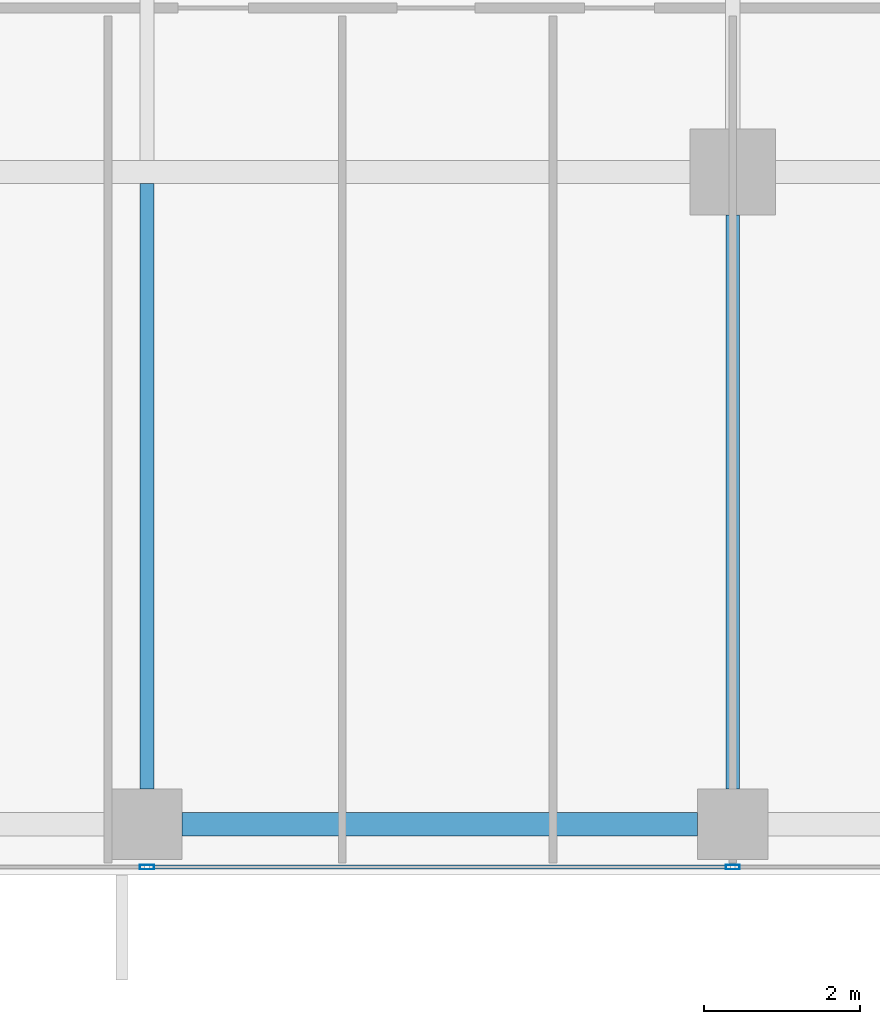
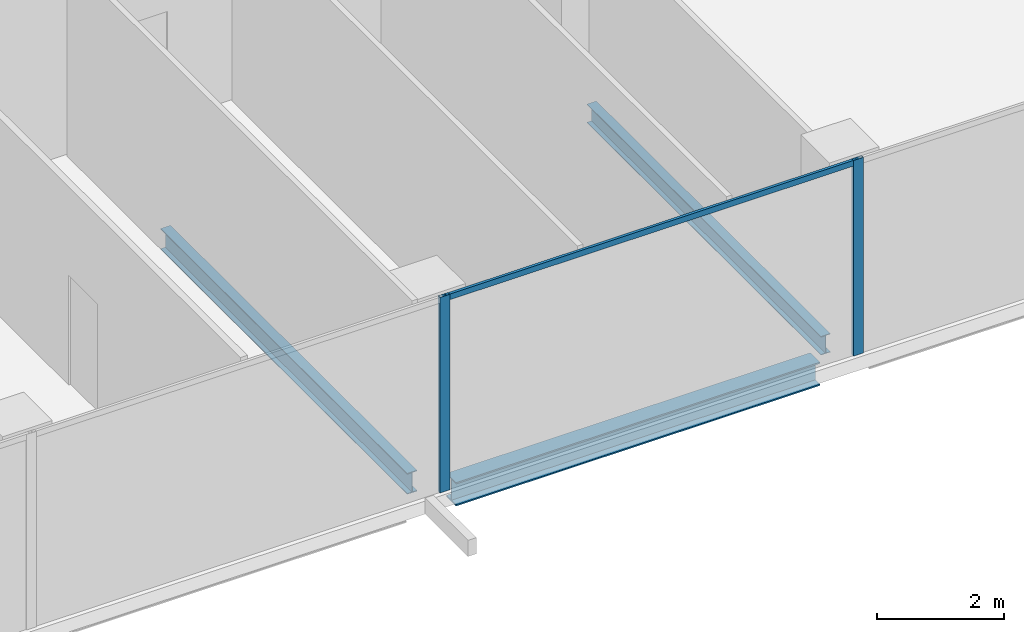
# One storey, part 6 of 36: 3 beams, 3 members, 1 element without a shape of its own.
"""IFC4 building model written with IfcOpenShell, lengths in metres."""

import ifcopenshell
import ifcopenshell.guid

model = None  # the IFC model being written
_history = None  # IfcOwnerHistory: only IFC2X3 demands one
_inside = {}  # id of a spatial element -> (the spatial element, [elements in it])
_under = {}  # id of a project, library or spatial element -> (it, [spatial elements below it])
_declared = {}  # id of a project -> (the project, [libraries it declares])
_typed = {}  # id of a type object -> (the type object, [elements of that type])
_made_of = {}  # id of a material, layer set ... -> (it, [elements and type objects made of it])


def new_model(schema):
    """Start an empty IFC model of exactly this schema.

    Asked for "IFC4X3", IfcOpenShell would pick the latest addendum, in which some entities
    have other attributes; the version numbers below select the first issue.
    IFC2X3 requires an IfcOwnerHistory on every rooted entity: one is made here for all.
    """
    global model, _history
    if schema == "IFC4X3":
        model = ifcopenshell.file(schema_version=(4, 3, 0, 0))
    else:
        model = ifcopenshell.file(schema=schema)
    _inside.clear()
    _under.clear()
    _declared.clear()
    _typed.clear()
    _made_of.clear()
    _history = None
    if model.schema == "IFC2X3":
        org = make("IfcOrganization", Name="unknown")
        user = make(
            "IfcPersonAndOrganization",
            ThePerson=make("IfcPerson", FamilyName="unknown"),
            TheOrganization=org,
        )
        app = make(
            "IfcApplication",
            ApplicationDeveloper=org,
            Version="unknown",
            ApplicationFullName="unknown",
            ApplicationIdentifier="unknown",
        )
        _history = make(
            "IfcOwnerHistory",
            OwningUser=user,
            OwningApplication=app,
            ChangeAction="ADDED",
            CreationDate=0,
        )
    return model


def make(cls, **values):
    """One entity of the class cls with the attributes given. An attribute that is None is left unset."""
    return model.create_entity(
        cls, **{name: value for name, value in values.items() if value is not None}
    )


def rooted(cls, **values):
    """An entity with a GlobalId (a new one), such as an element, a storey or a relation."""
    return make(cls, GlobalId=ifcopenshell.guid.new(), OwnerHistory=_history, **values)


def si_unit(unit_type, name, prefix=None):
    """IfcSIUnit, for example si_unit("LENGTHUNIT", "METRE", prefix="MILLI")."""
    return make("IfcSIUnit", UnitType=unit_type, Prefix=prefix, Name=name)


def assignment(units):
    """IfcUnitAssignment: the units of a project."""
    return None if units is None else make("IfcUnitAssignment", Units=units)


def point(xyz):
    """IfcCartesianPoint."""
    return None if xyz is None else make("IfcCartesianPoint", Coordinates=xyz)


def direction(xyz):
    """IfcDirection."""
    return None if xyz is None else make("IfcDirection", DirectionRatios=xyz)


def frame(location, z_axis=None, x_axis=None):
    """IfcAxis2Placement3D, a coordinate frame: its origin and axes. An axis left out is left unset."""
    return make(
        "IfcAxis2Placement3D",
        Location=point(location),
        Axis=direction(z_axis),
        RefDirection=direction(x_axis),
    )


def frame_2d(location, x_axis=None):
    """IfcAxis2Placement2D, a coordinate frame in the plane: its origin and x axis."""
    return make(
        "IfcAxis2Placement2D", Location=point(location), RefDirection=direction(x_axis)
    )


def origin():
    """The frame at (0, 0, 0) with its axes left unset."""
    return frame((0.0, 0.0, 0.0))


def origin_2d():
    """The frame at (0, 0) in the plane with its x axis left unset."""
    return frame_2d((0.0, 0.0))


def place(relative_to, where):
    """IfcLocalPlacement: puts the frame where relative to a parent placement (None: the world)."""
    return make(
        "IfcLocalPlacement", PlacementRelTo=relative_to, RelativePlacement=where
    )


def context(
    kind, dimensions, precision=None, world=None, true_north=None, identifier=None
):
    """IfcGeometricRepresentationContext, for example the 3D "Model" context."""
    return make(
        "IfcGeometricRepresentationContext",
        ContextIdentifier=identifier,
        ContextType=kind,
        CoordinateSpaceDimension=dimensions,
        Precision=precision,
        WorldCoordinateSystem=world,
        TrueNorth=true_north,
    )


def subcontext(parent, identifier, kind, view, scale=None):
    """IfcGeometricRepresentationSubContext, for example "Body" below "Model"."""
    return make(
        "IfcGeometricRepresentationSubContext",
        ContextIdentifier=identifier,
        ContextType=kind,
        ParentContext=parent,
        TargetScale=scale,
        TargetView=view,
    )


def project(units=None, contexts=None):
    """IfcProject with its units and contexts."""
    return rooted(
        "IfcProject",
        Name="project",
        RepresentationContexts=contexts,
        UnitsInContext=assignment(units),
    )


def spatial(cls, under=None, at=None, **own):
    """A site, building, storey or space (cls), placed at a placement, below another one or the project."""
    s = rooted(cls, ObjectPlacement=at, **own)
    if under is not None:
        _under.setdefault(under.id(), (under, []))[1].append(s)
    return s


def profile(cls, at=None, kind="AREA", **sizes):
    """A parametric profile (cls). Its sizes go by their IFC names, for example OverallWidth=200.0."""
    return make(cls, ProfileType=kind, Position=at, **sizes)


def hollow_rectangle(**sizes):
    """IfcRectangleHollowProfileDef."""
    return profile("IfcRectangleHollowProfileDef", **sizes)


def i_section(**sizes):
    """IfcIShapeProfileDef."""
    return profile("IfcIShapeProfileDef", **sizes)


def extrude(swept, where, along, depth):
    """IfcExtrudedAreaSolid: the profile swept, set in the frame where, extruded along a direction by depth."""
    return make(
        "IfcExtrudedAreaSolid",
        SweptArea=swept,
        Position=where,
        ExtrudedDirection=direction(along),
        Depth=depth,
    )


def shape(context_of_items, identifier, shape_type, items):
    """IfcShapeRepresentation: the items that make up one representation, for example the "Body"."""
    return make(
        "IfcShapeRepresentation",
        ContextOfItems=context_of_items,
        RepresentationIdentifier=identifier,
        RepresentationType=shape_type,
        Items=items,
    )


def source(mapping_origin, context_of_items, identifier, shape_type, items):
    """IfcRepresentationMap: a shape defined once, which mapped items show again and again."""
    return make(
        "IfcRepresentationMap",
        MappingOrigin=mapping_origin,
        MappedRepresentation=shape(context_of_items, identifier, shape_type, items),
    )


def transform(
    local_origin,
    x_axis=None,
    y_axis=None,
    z_axis=None,
    scale=None,
    scale2=None,
    scale3=None,
    uniform=True,
):
    """IfcCartesianTransformationOperator3D, or its non-uniform kind. x_axis, y_axis, z_axis: its Axis1, 2, 3."""
    if uniform:
        return make(
            "IfcCartesianTransformationOperator3D",
            Axis1=direction(x_axis),
            Axis2=direction(y_axis),
            LocalOrigin=point(local_origin),
            Scale=scale,
            Axis3=direction(z_axis),
        )
    return make(
        "IfcCartesianTransformationOperator3DnonUniform",
        Axis1=direction(x_axis),
        Axis2=direction(y_axis),
        LocalOrigin=point(local_origin),
        Scale=scale,
        Axis3=direction(z_axis),
        Scale2=scale2,
        Scale3=scale3,
    )


def mapped(mapping_source, mapping_target):
    """IfcMappedItem: shows the shape of a source again, moved by a transform."""
    return make(
        "IfcMappedItem", MappingSource=mapping_source, MappingTarget=mapping_target
    )


def material(Name=None, Category=None):
    """IfcMaterial."""
    return make("IfcMaterial", Name=Name, Category=Category)


def material_profile(
    of_material, cross_section, Name=None, Category=None, Priority=None
):
    """IfcMaterialProfile: a cross section and its material."""
    return make(
        "IfcMaterialProfile",
        Name=Name,
        Material=of_material,
        Profile=cross_section,
        Priority=Priority,
        Category=Category,
    )


def profile_set(profiles, Name=None, composite=None):
    """IfcMaterialProfileSet."""
    return make(
        "IfcMaterialProfileSet",
        Name=Name,
        MaterialProfiles=profiles,
        CompositeProfile=composite,
    )


def made_of(thing, what):
    """Note that an element or type object is made of a material, layer set ...; save() writes the relation."""
    if what is not None:
        _made_of.setdefault(what.id(), (what, []))[1].append(thing)
    return thing


def type_object(cls, material=None, **own):
    """A type object (cls), such as IfcWallType, which elements share."""
    return made_of(rooted(cls, **own), material)


def element(
    cls,
    number,
    at=None,
    inside=None,
    cuts=None,
    type_object=None,
    material=None,
    context=None,
    identifier="Body",
    shape_type=None,
    held_by="IfcProductDefinitionShape",
    body=None,
    shapes=None,
    **own,
):
    """One element of the class cls, such as IfcWall. Its Tag is "e" and its number.

    at: its placement. inside: the storey or other place that contains it. cuts: it is an
    opening in that element (IfcRelVoidsElement). A single representation is given by context,
    identifier, shape_type and body (its items); several are given by shapes. held_by: the class
    of the entity that holds the representations. save() writes the other relations.
    """
    e = rooted(cls, Tag="e%d" % number, ObjectPlacement=at, **own)
    if body is not None:
        shapes = [shape(context, identifier, shape_type, body)]
    if shapes is not None:
        e.Representation = make(held_by, Representations=shapes)
    if inside is not None:
        _inside.setdefault(inside.id(), (inside, []))[1].append(e)
    if cuts is not None:
        rooted(
            "IfcRelVoidsElement", RelatingBuildingElement=cuts, RelatedOpeningElement=e
        )
    if type_object is not None:
        _typed.setdefault(type_object.id(), (type_object, []))[1].append(e)
    return made_of(e, material)


def aggregate(whole, parts):
    """IfcRelAggregates: a whole, such as a stair, and the parts it consists of."""
    return rooted("IfcRelAggregates", RelatingObject=whole, RelatedObjects=parts)


def save(model, path):
    """Write the relations noted so far, then the file.

    IfcRelAggregates (storeys below a building ...), IfcRelContainedInSpatialStructure (elements
    in a storey), IfcRelDefinesByType, IfcRelAssociatesMaterial and IfcRelDeclares: one each for
    every whole, place, type object, material and project.
    """
    for whole, parts in _under.values():
        aggregate(whole, parts)
    for where, things in _inside.values():
        rooted(
            "IfcRelContainedInSpatialStructure",
            RelatedElements=things,
            RelatingStructure=where,
        )
    for kind, things in _typed.values():
        rooted("IfcRelDefinesByType", RelatedObjects=things, RelatingType=kind)
    for what, things in _made_of.values():
        rooted("IfcRelAssociatesMaterial", RelatedObjects=things, RelatingMaterial=what)
    for by, libraries in _declared.values():
        rooted("IfcRelDeclares", RelatingContext=by, RelatedDefinitions=libraries)
    model.write(path)


model = new_model("IFC4")

# Units and contexts
model_context = context("Model", 3, precision=1e-05, world=origin(), true_north=direction((0.0, 1.0)))
body_context = subcontext(model_context, "Body", "Model", "MODEL_VIEW")
ifc_project = project(units=[si_unit("LENGTHUNIT", "METRE"), si_unit("AREAUNIT", "SQUARE_METRE"), si_unit("VOLUMEUNIT", "CUBIC_METRE"), si_unit("PLANEANGLEUNIT", "RADIAN"), si_unit("MASSUNIT", "GRAM", prefix="KILO")], contexts=[model_context])

# Site, building, storey
site_placement = place(None, origin())
site = spatial("IfcSite", under=ifc_project, at=site_placement, CompositionType="ELEMENT")
building_placement = place(site_placement, origin())
building = spatial("IfcBuilding", under=site, at=building_placement, Name="Khomas Fold Tower", CompositionType="ELEMENT")
storey_placement = place(building_placement, frame((0.0, 0.0, 230.199951171875)))
storey = spatial("IfcBuildingStorey", under=building, at=storey_placement, Name="L51", CompositionType="ELEMENT", Elevation=230.199951171875)

# Beams
ifc_material_1 = material(Name="Steel S355", Category="steel")
ifc_material_profile_1 = material_profile(ifc_material_1, i_section(OverallWidth=0.300048828125, OverallDepth=0.449951171875, WebThickness=0.013916015625, FlangeThickness=0.02587890625, at=origin_2d()), Name="HE 450 B")
ifc_profile_set_1 = profile_set([ifc_material_profile_1], Name="Steel S355")
beam_type_1 = type_object("IfcBeamType", Name="HE 450 B spandrel SB4", PredefinedType="SPANDREL", material=ifc_profile_set_1)
shared_shape_1 = source(origin(), body_context, "Body", "SweptSolid", [
    extrude(i_section(OverallWidth=0.300048828125, OverallDepth=0.449951171875, WebThickness=0.013916015625, FlangeThickness=0.02587890625, at=origin_2d()), origin(), (0.0, 0.0, 1.0), 6.60009765625),
])
beam_1_placement = place(storey_placement, frame((27.449951171875, 5.14990234375, -0.474853515625), z_axis=(1.0, 0.0, 0.0), x_axis=(0.0, 1.0, 0.0)))
element("IfcBeam", 1, at=beam_1_placement, inside=storey, type_object=beam_type_1, Name="SB4", PredefinedType="SPANDREL", context=body_context, shape_type="MappedRepresentation", body=[
    mapped(shared_shape_1, transform((0.0, 0.0, 0.0))),
])
ifc_material_2 = material(Name="Steel S355", Category="steel")
ifc_material_profile_2 = material_profile(ifc_material_2, i_section(OverallWidth=0.179931640625, OverallDepth=0.39990234375, WebThickness=0.008544921875, FlangeThickness=0.013427734375, at=origin_2d()), Name="IPE 400")
ifc_profile_set_2 = profile_set([ifc_material_profile_2], Name="Steel S355")
beam_type_2 = type_object("IfcBeamType", Name="IPE 400 beam JB3", PredefinedType="BEAM", material=ifc_profile_set_2)
shared_shape_2 = source(origin(), body_context, "Body", "SweptSolid", [
    extrude(i_section(OverallWidth=0.179931640625, OverallDepth=0.39990234375, WebThickness=0.008544921875, FlangeThickness=0.013427734375, at=origin_2d()), origin(), (0.0, 0.0, 1.0), 7.75),
])
beam_2_placement = place(storey_placement, frame((27.0, 5.60009765625, -0.449951171875), z_axis=(0.0, 1.0, 0.0), x_axis=(-1.0, 0.0, 0.0)))
element("IfcBeam", 2, at=beam_2_placement, inside=storey, type_object=beam_type_2, Name="JB3", PredefinedType="BEAM", context=body_context, shape_type="MappedRepresentation", body=[
    mapped(shared_shape_2, transform((0.0, 0.0, 0.0))),
])
ifc_material_3 = material(Name="Steel S355", Category="steel")
ifc_material_profile_3 = material_profile(ifc_material_3, i_section(OverallWidth=0.169921875, OverallDepth=0.360107421875, WebThickness=0.008056640625, FlangeThickness=0.0126953125, at=origin_2d()), Name="IPE 360")
ifc_profile_set_3 = profile_set([ifc_material_profile_3], Name="Steel S355")
beam_type_3 = type_object("IfcBeamType", Name="IPE 360 beam JB2", PredefinedType="BEAM", material=ifc_profile_set_3)
shared_shape_3 = source(origin(), body_context, "Body", "SweptSolid", [
    extrude(i_section(OverallWidth=0.169921875, OverallDepth=0.360107421875, WebThickness=0.008056640625, FlangeThickness=0.0126953125, at=origin_2d()), origin(), (0.0, 0.0, 1.0), 7.349853515625),
])
beam_3_placement = place(storey_placement, frame((34.5, 5.60009765625, -0.429931640625), z_axis=(0.0, 1.0, 0.0), x_axis=(-1.0, 0.0, 0.0)))
element("IfcBeam", 3, at=beam_3_placement, inside=storey, type_object=beam_type_3, Name="JB2", PredefinedType="BEAM", context=body_context, shape_type="MappedRepresentation", body=[
    mapped(shared_shape_3, transform((0.0, 0.0, 0.0))),
])

# Curtain wall, members
ifc_material_4 = material(Name="Aluminium framed double glazing", Category="aluminium")
curtain_wall_type = type_object("IfcCurtainWallType", Name="SK-Unitised clear-glass wall, office floors CW2", PredefinedType="NOTDEFINED", material=ifc_material_4)
curtain_wall_placement = place(storey_placement, origin())
curtain_wall = element("IfcCurtainWall", 4, at=curtain_wall_placement, inside=storey, type_object=curtain_wall_type, Name="CW2 run L51 00-0", PredefinedType="NOTDEFINED")
ifc_material_5 = material(Name="Aluminium", Category="aluminium")
ifc_material_profile_4 = material_profile(ifc_material_5, hollow_rectangle(XDim=0.06005859375, YDim=0.179931640625, WallThickness=0.00390625, at=origin_2d()), Name="SK-Unitised clear-glass wall, office floors mullion CW2-M")
ifc_profile_set_4 = profile_set([ifc_material_profile_4], Name="Aluminium")
member_type_1 = type_object("IfcMemberType", Name="SK-Unitised clear-glass wall, office floors mullion CW2-M", PredefinedType="MULLION", material=ifc_profile_set_4)
shared_shape_4 = source(origin(), body_context, "Body", "SweptSolid", [
    extrude(hollow_rectangle(XDim=0.06005859375, YDim=0.179931640625, WallThickness=0.00390625, at=origin_2d()), origin(), (0.0, 0.0, 1.0), 3.75),
])
member_1_placement = place(storey_placement, frame((27.0, 4.60009765625, 0.0), z_axis=(0.0, 0.0, 1.0), x_axis=(0.0, 1.0, 0.0)))
member_1 = element("IfcMember", 5, at=member_1_placement, type_object=member_type_1, Name="CW2 mullion 4", PredefinedType="MULLION", context=body_context, shape_type="MappedRepresentation", body=[
    mapped(shared_shape_4, transform((0.0, 0.0, 0.0))),
])
member_2_placement = place(storey_placement, frame((34.5, 4.60009765625, 0.0), z_axis=(0.0, 0.0, 1.0), x_axis=(0.0, 1.0, 0.0)))
member_2 = element("IfcMember", 6, at=member_2_placement, type_object=member_type_1, Name="CW2 mullion 5", PredefinedType="MULLION", context=body_context, shape_type="MappedRepresentation", body=[
    mapped(shared_shape_4, transform((0.0, 0.0, 0.0))),
])
ifc_material_6 = material(Name="Aluminium", Category="aluminium")
ifc_material_profile_5 = material_profile(ifc_material_6, hollow_rectangle(XDim=0.050048828125, YDim=0.110107421875, WallThickness=0.00390625, at=origin_2d()), Name="SK-Unitised clear-glass wall, office floors transom CW2-T")
ifc_profile_set_5 = profile_set([ifc_material_profile_5], Name="Aluminium")
member_type_2 = type_object("IfcMemberType", Name="SK-Unitised clear-glass wall, office floors transom CW2-T", PredefinedType="USERDEFINED", material=ifc_profile_set_5)
shared_shape_5 = source(origin(), body_context, "Body", "SweptSolid", [
    extrude(hollow_rectangle(XDim=0.050048828125, YDim=0.110107421875, WallThickness=0.00390625, at=origin_2d()), origin(), (0.0, 0.0, 1.0), 7.43994140625),
])
member_3_placement = place(storey_placement, frame((27.030029296875, 4.60009765625, 3.695068359375), z_axis=(1.0, 0.0, 0.0), x_axis=(0.0, 1.0, 0.0)))
member_3 = element("IfcMember", 7, at=member_3_placement, type_object=member_type_2, Name="CW2 transom 4", ObjectType="TRANSOM", PredefinedType="USERDEFINED", context=body_context, shape_type="MappedRepresentation", body=[
    mapped(shared_shape_5, transform((0.0, 0.0, 0.0))),
])
aggregate(curtain_wall, [member_1, member_2, member_3])

save(model, "model.ifc")
